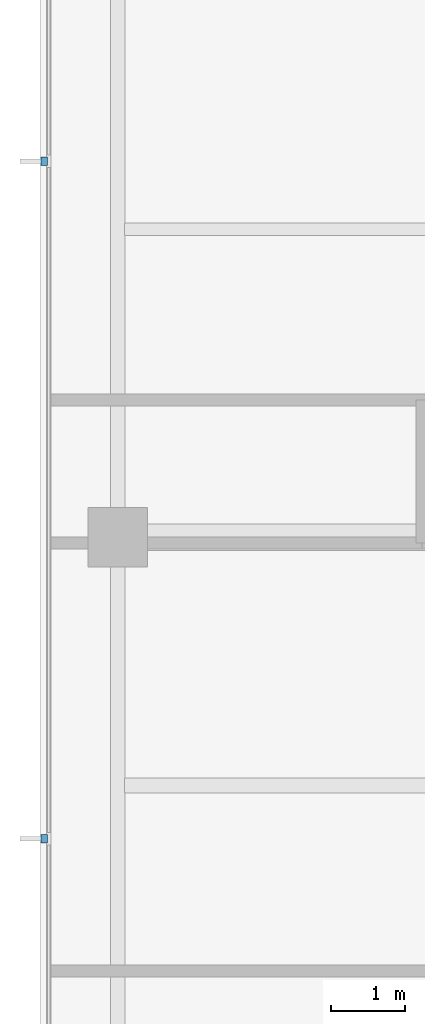
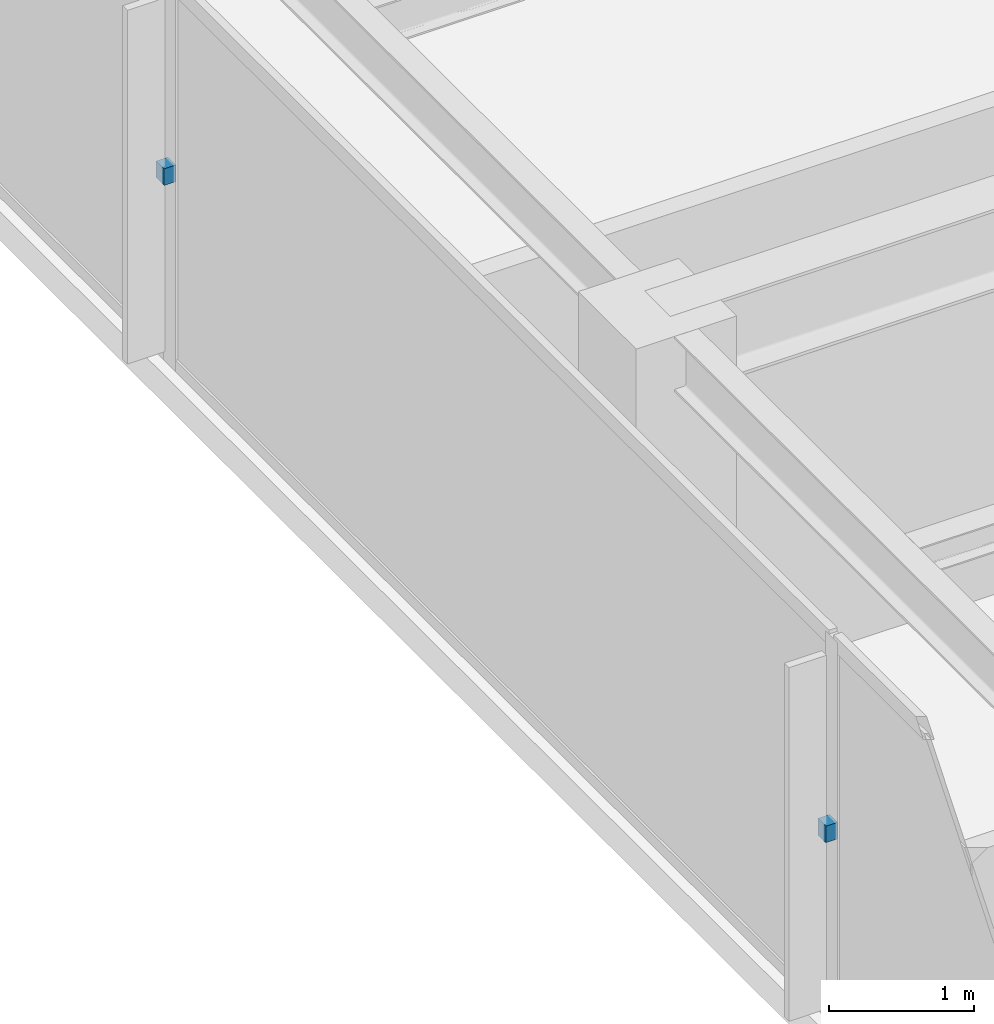
# One storey, part 9 of 11: 2 discrete accessories.
"""IFC4 building model written with IfcOpenShell, lengths in metres."""

from ifc_helpers import new_model, si_unit, direction, frame, origin, place, context, subcontext, project, spatial, polyline, outline, extrude, material, type_object, element, save


model = new_model("IFC4")

# Units and contexts
model_context = context("Model", 3, precision=1e-05, world=origin(), true_north=direction((0.0, 1.0)))
body_context = subcontext(model_context, "Body", "Model", "MODEL_VIEW")
ifc_project = project(units=[si_unit("LENGTHUNIT", "METRE"), si_unit("AREAUNIT", "SQUARE_METRE"), si_unit("VOLUMEUNIT", "CUBIC_METRE"), si_unit("PLANEANGLEUNIT", "RADIAN"), si_unit("MASSUNIT", "GRAM", prefix="KILO")], contexts=[model_context])

# Site, building, storey
site_placement = place(None, origin())
site = spatial("IfcSite", under=ifc_project, at=site_placement, CompositionType="ELEMENT")
building_placement = place(site_placement, origin())
building = spatial("IfcBuilding", under=site, at=building_placement, Name="Qalmaran Belvedere Hotel", CompositionType="ELEMENT")
storey_placement = place(building_placement, frame((0.0, 0.0, 245.89990234375)))
storey = spatial("IfcBuildingStorey", under=building, at=storey_placement, Name="L63", CompositionType="ELEMENT", Elevation=245.89990234375)

# Discrete accessories
ifc_material = material(Name="Stainless Steel 1.4401", Category="steel")
discrete_accessory_type = type_object("IfcDiscreteAccessoryType", Name="BRK-FIN-SS316", PredefinedType="BRACKET", material=ifc_material)
discrete_accessory_1_placement = place(storey_placement, frame((0.0, 0.0, 1.580078125)))
element("IfcDiscreteAccessory", 1, at=discrete_accessory_1_placement, inside=storey, type_object=discrete_accessory_type, Name="L63 Fin Bracket 1", PredefinedType="BRACKET", context=body_context, shape_type="SweptSolid", body=[
    extrude(outline(polyline([(11.455078125, 25.62158203125), (11.362548828125, 25.62158203125), (11.362548828125, 25.51171875), (11.455078125, 25.51171875), (11.455078125, 25.62158203125)])), origin(), (0.0, 0.0, 1.0), 0.14013671875),
])
discrete_accessory_2_placement = place(storey_placement, frame((0.0, 0.0, 1.580078125)))
element("IfcDiscreteAccessory", 2, at=discrete_accessory_2_placement, inside=storey, type_object=discrete_accessory_type, Name="L63 Fin Bracket 2", PredefinedType="BRACKET", context=body_context, shape_type="SweptSolid", body=[
    extrude(outline(polyline([(11.455078125, 16.48828125), (11.362548828125, 16.48828125), (11.362548828125, 16.37841796875), (11.455078125, 16.37841796875), (11.455078125, 16.48828125)])), origin(), (0.0, 0.0, 1.0), 0.14013671875),
])

save(model, "model.ifc")
